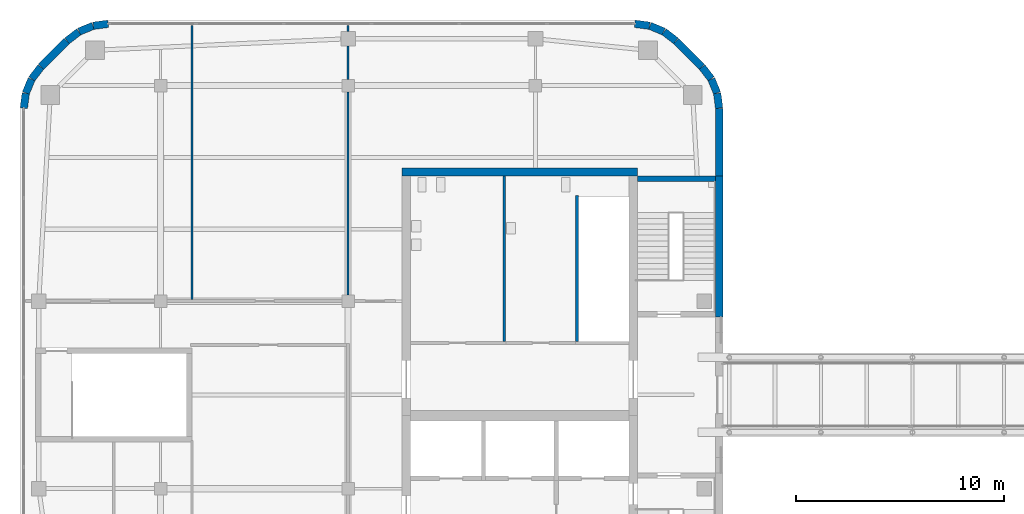
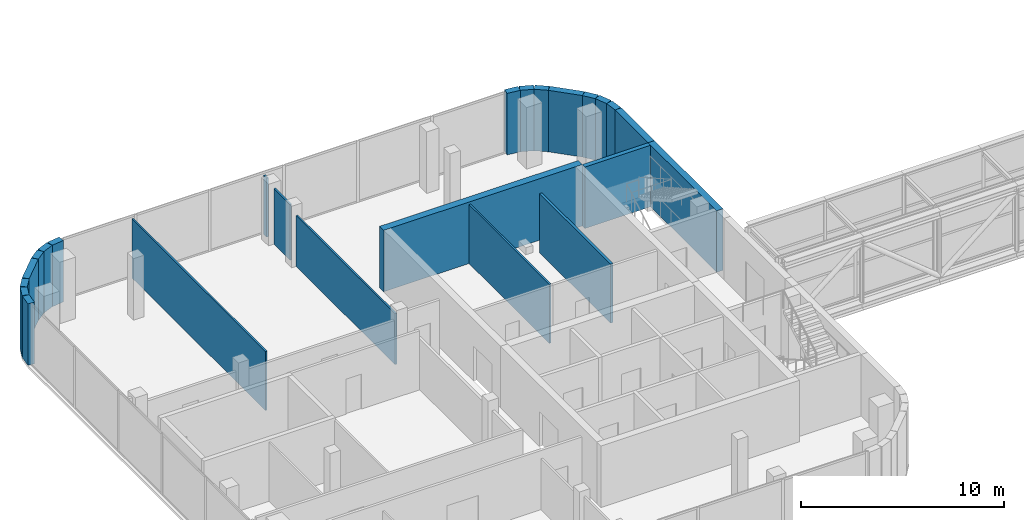
# One storey, part 13 of 21: 24 walls.
"""IFC4 building model written with IfcOpenShell, lengths in metres."""

from ifc_helpers import new_model, si_unit, direction, frame, frame_2d, origin, place, context, subcontext, project, spatial, rectangle, extrude, material, layer, layer_set, type_object, element, save


model = new_model("IFC4")

# Units and contexts
model_context = context("Model", 3, precision=1e-05, world=origin(), true_north=direction((0.0, 1.0)))
body_context = subcontext(model_context, "Body", "Model", "MODEL_VIEW")
ifc_project = project(units=[si_unit("LENGTHUNIT", "METRE"), si_unit("AREAUNIT", "SQUARE_METRE"), si_unit("VOLUMEUNIT", "CUBIC_METRE"), si_unit("PLANEANGLEUNIT", "RADIAN"), si_unit("MASSUNIT", "GRAM", prefix="KILO")], contexts=[model_context])

# Site, building, storey
site_placement = place(None, origin())
site = spatial("IfcSite", under=ifc_project, at=site_placement, CompositionType="ELEMENT")
building_placement = place(site_placement, origin())
building = spatial("IfcBuilding", under=site, at=building_placement, Name="Cinnabar Reach Civic Tower", CompositionType="ELEMENT")
storey_placement = place(building_placement, frame((0.0, 0.0, 140.0)))
storey = spatial("IfcBuildingStorey", under=building, at=storey_placement, Name="L33", CompositionType="ELEMENT", Elevation=140.0)

# Walls
ifc_material_1 = material(Name="Facing brick with insulated backing", Category="masonry")
ifc_layer_1 = layer(ifc_material_1, 0.36)
ifc_layer_set_1 = layer_set([ifc_layer_1], Name="Brick corner wall")
wall_type_1 = type_object("IfcWallType", Name="Brick corner wall", PredefinedType="STANDARD", material=ifc_layer_set_1)
for number, where, z_axis, x_axis, name in (
    (1, (-27.183, 45.2686, 0.0), (0.0, 0.0, 1.0), (-0.13055608231, 0.99144092581, 0.0), "Brick corner wall"),
    (2, (-27.2819, 45.9973, 0.0), (0.0, 0.0, 1.0), (-0.382702709855, 0.923871547278, 0.0), "Brick corner wall"),
):
    element("IfcWall", number, at=place(storey_placement, frame(where, z_axis=z_axis, x_axis=x_axis)), inside=storey, type_object=wall_type_1, Name=name, PredefinedType="STANDARD", context=body_context, shape_type="SweptSolid", body=[
        extrude(rectangle(XDim=0.7131, YDim=0.36, at=frame_2d((0.3565, 0.0))), origin(), (0.0, 0.0, 1.0), 3.7),
    ])
for number, where, z_axis, x_axis, name in (
    (3, (-27.566, 46.6755, 0.0), (0.0, 0.0, 1.0), (-0.608802368033, 0.793321924995, 0.0), "Brick corner wall"),
    (4, (-29.2587, 48.4998, 0.0), (0.0, 0.0, 1.0), (-0.793321924995, 0.608802368033, 0.0), "Brick corner wall"),
):
    element("IfcWall", number, at=place(storey_placement, frame(where, z_axis=z_axis, x_axis=x_axis)), inside=storey, type_object=wall_type_1, Name=name, PredefinedType="STANDARD", context=body_context, shape_type="SweptSolid", body=[
        extrude(rectangle(XDim=0.7132, YDim=0.36, at=frame_2d((0.3566, 0.0))), origin(), (0.0, 0.0, 1.0), 3.7),
    ])
for number, where, z_axis, x_axis, name in (
    (5, (-29.8439, 48.9452, 0.0), (0.0, 0.0, 1.0), (-0.923871547278, 0.382702709855, 0.0), "Brick corner wall"),
    (6, (-30.5244, 49.2239, 0.0), (0.0, 0.0, 1.0), (-0.99144092581, 0.13055608231, 0.0), "Brick corner wall"),
    (7, (-56.5186, 49.317, 0.0), (0.0, 0.0, 1.0), (-0.99144092581, -0.13055608231, 0.0), "Brick corner wall"),
    (8, (-57.2473, 49.2181, 0.0), (0.0, 0.0, 1.0), (-0.923871547278, -0.382702709855, 0.0), "Brick corner wall"),
):
    element("IfcWall", number, at=place(storey_placement, frame(where, z_axis=z_axis, x_axis=x_axis)), inside=storey, type_object=wall_type_1, Name=name, PredefinedType="STANDARD", context=body_context, shape_type="SweptSolid", body=[
        extrude(rectangle(XDim=0.7131, YDim=0.36, at=frame_2d((0.3565, 0.0))), origin(), (0.0, 0.0, 1.0), 3.7),
    ])
for number, where, z_axis, x_axis, name in (
    (9, (-57.9255, 48.934, 0.0), (0.0, 0.0, 1.0), (-0.793321924995, -0.608802368033, 0.0), "Brick corner wall"),
    (10, (-59.7498, 47.2413, 0.0), (0.0, 0.0, 1.0), (-0.608802368033, -0.793321924995, 0.0), "Brick corner wall"),
):
    element("IfcWall", number, at=place(storey_placement, frame(where, z_axis=z_axis, x_axis=x_axis)), inside=storey, type_object=wall_type_1, Name=name, PredefinedType="STANDARD", context=body_context, shape_type="SweptSolid", body=[
        extrude(rectangle(XDim=0.7132, YDim=0.36, at=frame_2d((0.3566, 0.0))), origin(), (0.0, 0.0, 1.0), 3.7),
    ])
for number, where, z_axis, x_axis, name in (
    (11, (-60.1952, 46.6561, 0.0), (0.0, 0.0, 1.0), (-0.382702709855, -0.923871547278, 0.0), "Brick corner wall"),
    (12, (-60.4739, 45.9756, 0.0), (0.0, 0.0, 1.0), (-0.13055608231, -0.99144092581, 0.0), "Brick corner wall"),
):
    element("IfcWall", number, at=place(storey_placement, frame(where, z_axis=z_axis, x_axis=x_axis)), inside=storey, type_object=wall_type_1, Name=name, PredefinedType="STANDARD", context=body_context, shape_type="SweptSolid", body=[
        extrude(rectangle(XDim=0.7131, YDim=0.36, at=frame_2d((0.3565, 0.0))), origin(), (0.0, 0.0, 1.0), 3.7),
    ])
ifc_layer_2 = layer(ifc_material_1, 0.36)
ifc_layer_set_2 = layer_set([ifc_layer_2], Name="Brick pier and spandrel wall")
wall_type_2 = type_object("IfcWallType", Name="Brick pier and spandrel wall", PredefinedType="STANDARD", material=ifc_layer_set_2)
wall_1_placement = place(storey_placement, frame((-27.18, 35.25, 0.0), z_axis=(0.0, 0.0, 1.0), x_axis=(0.0, 1.0, 0.0)))
element("IfcWall", 13, at=wall_1_placement, inside=storey, type_object=wall_type_2, Name="Brick facade wall", PredefinedType="STANDARD", context=body_context, shape_type="SweptSolid", body=[
    extrude(rectangle(XDim=6.75, YDim=0.36, at=frame_2d((3.375, 0.0))), origin(), (0.0, 0.0, 1.0), 3.7),
])
wall_2_placement = place(storey_placement, frame((-27.18, 42.0, 0.0), z_axis=(0.0, 0.0, 1.0), x_axis=(0.0, 1.0, 0.0)))
element("IfcWall", 14, at=wall_2_placement, inside=storey, type_object=wall_type_2, Name="Brick facade wall", PredefinedType="STANDARD", context=body_context, shape_type="SweptSolid", body=[
    extrude(rectangle(XDim=3.2574, YDim=0.36, at=frame_2d((1.6287, 0.0))), origin(), (0.0, 0.0, 1.0), 3.7),
])
for number, where, z_axis, x_axis, name in (
    (15, (-28.006, 47.2514, 0.0), (0.0, 0.0, 1.0), (-0.707106781187, 0.707106781187, 0.0), "Brick facade wall"),
    (16, (-58.5014, 48.494, 0.0), (0.0, 0.0, 1.0), (-0.707106781187, -0.707106781187, 0.0), "Brick facade wall"),
):
    element("IfcWall", number, at=place(storey_placement, frame(where, z_axis=z_axis, x_axis=x_axis)), inside=storey, type_object=wall_type_2, Name=name, PredefinedType="STANDARD", context=body_context, shape_type="SweptSolid", body=[
        extrude(rectangle(XDim=1.7573, YDim=0.36, at=frame_2d((0.8787, 0.0))), origin(), (0.0, 0.0, 1.0), 3.7),
    ])
ifc_material_2 = material(Name="Concrete C60", Category="concrete")
ifc_layer_3 = layer(ifc_material_2, 0.4)
ifc_layer_set_3 = layer_set([ifc_layer_3], Name="Core wall 400 EI 180")
wall_type_3 = type_object("IfcWallType", Name="Core wall 400 EI 180", PredefinedType="SOLIDWALL", material=ifc_layer_set_3)
wall_3_placement = place(storey_placement, frame((-31.1, 42.2, 0.0), z_axis=(0.0, 0.0, 1.0), x_axis=(-1.0, 0.0, 0.0)))
element("IfcWall", 17, at=wall_3_placement, inside=storey, type_object=wall_type_3, Name="Core wall T2 L33 N", PredefinedType="SOLIDWALL", context=body_context, shape_type="SweptSolid", body=[
    extrude(rectangle(XDim=11.3, YDim=0.4, at=frame_2d((5.65, 0.0))), origin(), (0.0, 0.0, 1.0), 3.7),
])
ifc_material_3 = material(Name="Gypsum board on steel studs", Category="steel")
ifc_layer_4 = layer(ifc_material_3, 0.1)
ifc_layer_set_4 = layer_set([ifc_layer_4], Name="Partition wall 100 T2")
wall_type_4 = type_object("IfcWallType", Name="Partition wall 100 T2", PredefinedType="PARTITIONING", material=ifc_layer_set_4)
wall_4_placement = place(storey_placement, frame((-52.5, 36.075, 0.0), z_axis=(0.0, 0.0, 1.0), x_axis=(0.0, 1.0, 0.0)))
element("IfcWall", 18, at=wall_4_placement, inside=storey, type_object=wall_type_4, Name="Partition wall 10", PredefinedType="PARTITIONING", context=body_context, shape_type="SweptSolid", body=[
    extrude(rectangle(XDim=13.165, YDim=0.1, at=frame_2d((6.5825, 0.0))), origin(), (0.0, 0.0, 1.0), 3.55),
])
wall_5_placement = place(storey_placement, frame((-45.0, 36.3, 0.0), z_axis=(0.0, 0.0, 1.0), x_axis=(0.0, 1.0, 0.0)))
element("IfcWall", 19, at=wall_5_placement, inside=storey, type_object=wall_type_4, Name="Partition wall 11", PredefinedType="PARTITIONING", context=body_context, shape_type="SweptSolid", body=[
    extrude(rectangle(XDim=9.75, YDim=0.1, at=frame_2d((4.875, 0.0))), origin(), (0.0, 0.0, 1.0), 3.062),
])
wall_6_placement = place(storey_placement, frame((-45.0, 46.65, 0.0), z_axis=(0.0, 0.0, 1.0), x_axis=(0.0, 1.0, 0.0)))
element("IfcWall", 20, at=wall_6_placement, inside=storey, type_object=wall_type_4, Name="Partition wall 12", PredefinedType="PARTITIONING", context=body_context, shape_type="SweptSolid", body=[
    extrude(rectangle(XDim=1.6, YDim=0.1, at=frame_2d((0.8, 0.0))), origin(), (0.0, 0.0, 1.0), 3.352),
])
wall_7_placement = place(storey_placement, frame((-45.0, 48.95, 0.0), z_axis=(0.0, 0.0, 1.0), x_axis=(0.0, 1.0, 0.0)))
element("IfcWall", 21, at=wall_7_placement, inside=storey, type_object=wall_type_4, Name="Partition wall 13", PredefinedType="PARTITIONING", context=body_context, shape_type="SweptSolid", body=[
    extrude(rectangle(XDim=0.29, YDim=0.1, at=frame_2d((0.145, 0.0))), origin(), (0.0, 0.0, 1.0), 3.55),
])
ifc_layer_5 = layer(ifc_material_2, 0.25)
ifc_layer_set_5 = layer_set([ifc_layer_5], Name="Stair shaft wall 250 EI 120")
wall_type_5 = type_object("IfcWallType", Name="Stair shaft wall 250 EI 120", PredefinedType="SOLIDWALL", material=ifc_layer_set_5)
wall_8_placement = place(storey_placement, frame((-27.36, 41.875, 0.0), z_axis=(0.0, 0.0, 1.0), x_axis=(-1.0, 0.0, 0.0)))
element("IfcWall", 22, at=wall_8_placement, inside=storey, type_object=wall_type_5, Name="Stair shaft wall T2-S2 L33", PredefinedType="SOLIDWALL", context=body_context, shape_type="SweptSolid", body=[
    extrude(rectangle(XDim=3.74, YDim=0.25, at=frame_2d((1.87, 0.0))), origin(), (0.0, 0.0, 1.0), 3.7),
])
ifc_material_4 = material(Name="Gypsum board partition")
ifc_layer_6 = layer(ifc_material_4, 0.1)
ifc_layer_set_6 = layer_set([ifc_layer_6], Name="T2 Internal partition 100")
wall_type_6 = type_object("IfcWallType", Name="T2 Internal partition 100", PredefinedType="PARTITIONING", material=ifc_layer_set_6)
wall_9_placement = place(storey_placement, frame((-37.5, 34.075, 0.0), z_axis=(0.0, 0.0, 1.0), x_axis=(0.0, 1.0, 0.0)))
element("IfcWall", 23, at=wall_9_placement, inside=storey, type_object=wall_type_6, Name="T2 Internal partition L33 016", PredefinedType="PARTITIONING", context=body_context, shape_type="SweptSolid", body=[
    extrude(rectangle(XDim=7.925, YDim=0.1, at=frame_2d((3.9625, 0.0))), origin(), (0.0, 0.0, 1.0), 3.55),
])
ifc_material_5 = material(Name="Concrete C40", Category="concrete")
ifc_layer_7 = layer(ifc_material_5, 0.15)
ifc_layer_set_7 = layer_set([ifc_layer_7], Name="T2 Riser wall 150")
wall_type_7 = type_object("IfcWallType", Name="T2 Riser wall 150", PredefinedType="SOLIDWALL", material=ifc_layer_set_7)
wall_10_placement = place(storey_placement, frame((-34.0, 41.075, 0.0), z_axis=(0.0, 0.0, 1.0), x_axis=(0.0, -1.0, 0.0)))
element("IfcWall", 24, at=wall_10_placement, inside=storey, type_object=wall_type_7, Name="T2 Riser wall L33 013", PredefinedType="SOLIDWALL", context=body_context, shape_type="SweptSolid", body=[
    extrude(rectangle(XDim=7.0, YDim=0.15, at=frame_2d((3.5, 0.0))), origin(), (0.0, 0.0, 1.0), 3.55),
])

save(model, "model.ifc")
